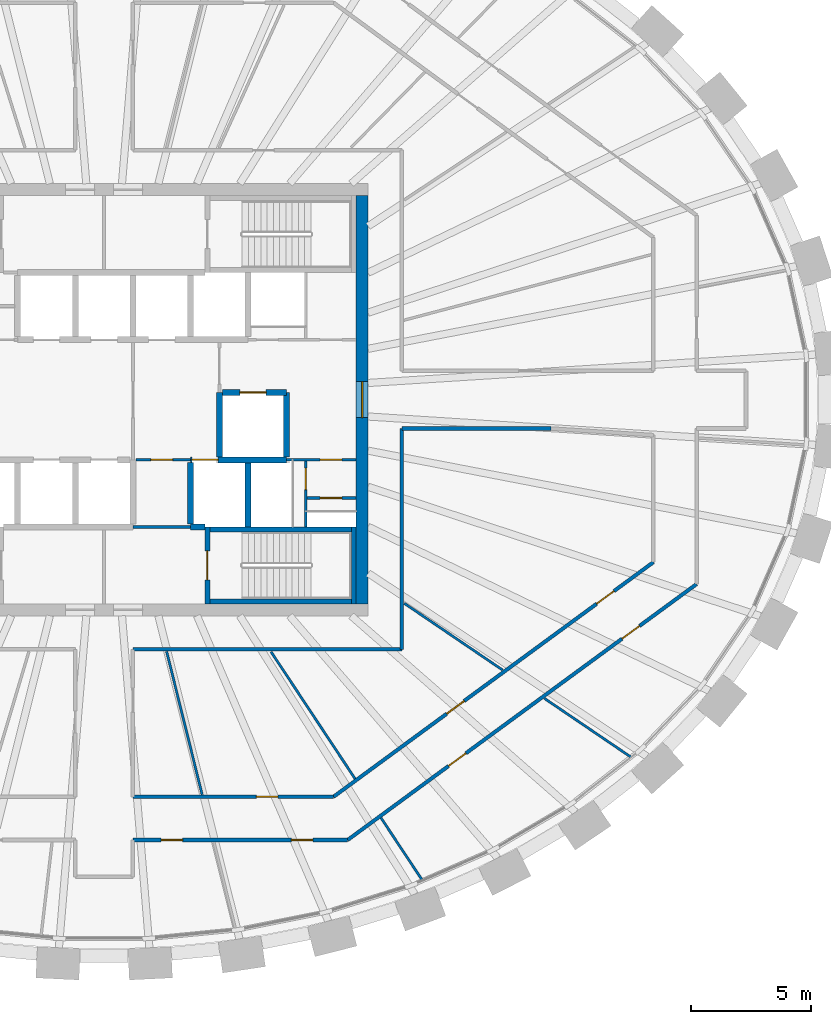
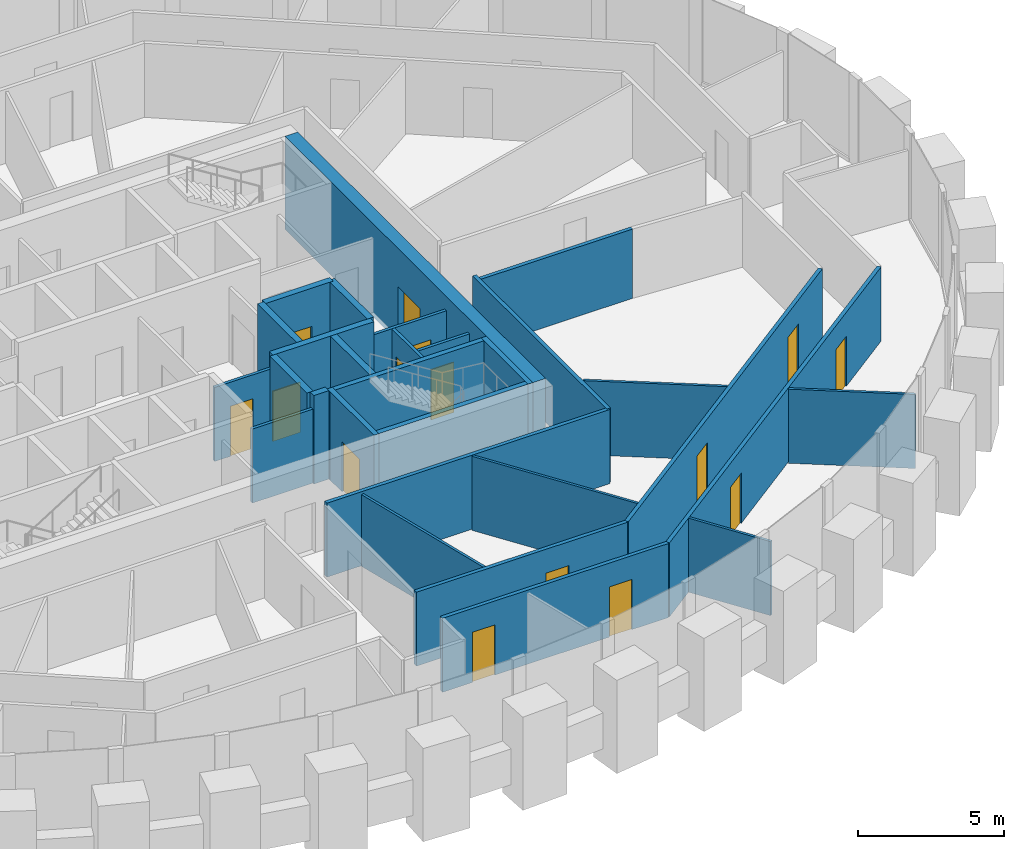
# One storey, part 8 of 12: 29 walls, 15 doors, 15 openings.
"""IFC4 building model written with IfcOpenShell, lengths in metres."""

from ifc_helpers import new_model, si_unit, direction, frame, frame_2d, origin, place, context, subcontext, project, spatial, rectangle, extrude, source, transform, mapped, material, layer, layer_set, type_object, element, fill, save


model = new_model("IFC4")

# Units and contexts
model_context = context("Model", 3, precision=1e-05, world=origin(), true_north=direction((0.0, 1.0)))
body_context = subcontext(model_context, "Body", "Model", "MODEL_VIEW")
ifc_project = project(units=[si_unit("LENGTHUNIT", "METRE"), si_unit("AREAUNIT", "SQUARE_METRE"), si_unit("VOLUMEUNIT", "CUBIC_METRE"), si_unit("PLANEANGLEUNIT", "RADIAN"), si_unit("MASSUNIT", "GRAM", prefix="KILO")], contexts=[model_context])

# Site, building, storey
site_placement = place(None, origin())
site = spatial("IfcSite", under=ifc_project, at=site_placement, CompositionType="ELEMENT")
building_placement = place(site_placement, origin())
building = spatial("IfcBuilding", under=site, at=building_placement, Name="Embergate Tower", CompositionType="ELEMENT")
storey_placement = place(building_placement, frame((0.0, 0.0, 309.10009765625)))
storey = spatial("IfcBuildingStorey", under=building, at=storey_placement, Name="L72", CompositionType="ELEMENT", Elevation=309.10009765625)

# Wall, opening, door
ifc_material_1 = material(Name="Concrete C50", Category="concrete")
ifc_layer_1 = layer(ifc_material_1, 0.5)
ifc_layer_set_1 = layer_set([ifc_layer_1], Name="Concrete C50")
wall_type_1 = type_object("IfcWallType", Name="Core outer wall C50 500", PredefinedType="SHEAR", material=ifc_layer_set_1)
shared_shape_1 = source(origin(), body_context, "Body", "SweptSolid", [
    extrude(rectangle(XDim=17.0, YDim=0.5, at=frame_2d((8.5, 0.0))), origin(), (0.0, 0.0, 1.0), 3.900146484375),
])
wall_1_placement = place(storey_placement, frame((10.75, -8.5, -0.2001953125), z_axis=(0.0, 0.0, 1.0), x_axis=(0.0, 1.0, 0.0)))
wall_1 = element("IfcWall", 1, at=wall_1_placement, inside=storey, type_object=wall_type_1, Name="CW-L72-E", PredefinedType="SHEAR", context=body_context, shape_type="MappedRepresentation", body=[
    mapped(shared_shape_1, transform((0.0, 0.0, 0.0))),
])
shared_shape_2 = source(origin(), body_context, "Body", "SweptSolid", [
    extrude(rectangle(XDim=1.5, YDim=2.10009765625, at=frame_2d((0.75, 1.050048828125))), frame((0.0, 0.260009765625, 0.0), z_axis=(0.0, -1.0, 0.0), x_axis=(1.0, 0.0, 0.0)), (0.0, 0.0, 1.0), 0.52001953125),
])
opening_1_placement = place(wall_1_placement, frame((7.75, 0.0, 0.199951171875)))
opening_1 = element("IfcOpeningElement", 2, at=opening_1_placement, cuts=wall_1, Name="Opening IF-3", PredefinedType="OPENING", context=body_context, shape_type="MappedRepresentation", body=[
    mapped(shared_shape_2, transform((0.0, 0.0, 0.0))),
])
ifc_material_2 = material(Name="Lobby fire door pair 1500")
door_type_1 = type_object("IfcDoorType", Name="Lobby fire door pair 1500", OperationType="DOUBLE_DOOR_SINGLE_SWING", PredefinedType="DOOR", material=ifc_material_2)
shared_shape_3 = source(origin(), body_context, "Body", "SweptSolid", [
    extrude(rectangle(XDim=1.5, YDim=2.10009765625, at=frame_2d((0.75, 1.050048828125))), frame((0.0, 0.02490234375, 0.0), z_axis=(0.0, -1.0, 0.0), x_axis=(1.0, 0.0, 0.0)), (0.0, 0.0, 1.0), 0.050048828125),
])
door_1_placement = place(opening_1_placement, origin())
door_1 = element("IfcDoor", 3, at=door_1_placement, inside=storey, type_object=door_type_1, Name="IF-3 door", OperationType="DOUBLE_DOOR_SINGLE_SWING", OverallHeight=2.10009765625, OverallWidth=1.5, PredefinedType="DOOR", context=body_context, shape_type="MappedRepresentation", body=[
    mapped(shared_shape_3, transform((0.0, 0.0, 0.0))),
])
fill(opening_1, door_1)

# Walls
ifc_layer_2 = layer(ifc_material_1, 0.25)
ifc_layer_set_2 = layer_set([ifc_layer_2], Name="Concrete C50")
wall_type_2 = type_object("IfcWallType", Name="Hoistway wall reinforced concrete 250", PredefinedType="SHEAR", material=ifc_layer_set_2)
shared_shape_4 = source(origin(), body_context, "Body", "SweptSolid", [
    extrude(rectangle(XDim=2.675048828125, YDim=0.25, at=frame_2d((1.33740234375, 0.0))), origin(), (0.0, 0.0, 1.0), 3.699951171875),
])
for number, where, z_axis, x_axis, name in (
    (4, (6.0, -5.300048828125, 0.0), (0.0, 0.0, 1.0), (0.0, 1.0, 0.0), "HW-1 wall"),
    (5, (4.800048828125, -2.375, 0.0), (0.0, 0.0, 1.0), (0.0, 1.0, 0.0), "HW-1 wall"),
):
    element("IfcWall", number, at=place(storey_placement, frame(where, z_axis=z_axis, x_axis=x_axis)), inside=storey, type_object=wall_type_2, Name=name, PredefinedType="SHEAR", context=body_context, shape_type="MappedRepresentation", body=[
        mapped(shared_shape_4, transform((0.0, 0.0, 0.0))),
    ])

# Wall, opening, door
wall_2_placement = place(storey_placement, frame((7.60009765625, 0.300048828125, 0.0), z_axis=(0.0, 0.0, 1.0), x_axis=(-1.0, 0.0, 0.0)))
wall_2 = element("IfcWall", 6, at=wall_2_placement, inside=storey, type_object=wall_type_2, Name="HW-1 wall", PredefinedType="SHEAR", context=body_context, shape_type="MappedRepresentation", body=[
    mapped(shared_shape_4, transform((0.0, 0.0, 0.0))),
])
shared_shape_5 = source(origin(), body_context, "Body", "SweptSolid", [
    extrude(rectangle(XDim=1.10009765625, YDim=2.10009765625, at=frame_2d((0.550048828125, 1.050048828125))), frame((0.0, 0.135009765625, 0.0), z_axis=(0.0, -1.0, 0.0), x_axis=(1.0, 0.0, 0.0)), (0.0, 0.0, 1.0), 0.27001953125),
])
opening_2_placement = place(wall_2_placement, frame((0.85009765625, 0.0, 0.0)))
opening_2 = element("IfcOpeningElement", 7, at=opening_2_placement, cuts=wall_2, Name="Opening LD", PredefinedType="OPENING", context=body_context, shape_type="MappedRepresentation", body=[
    mapped(shared_shape_5, transform((0.0, 0.0, 0.0))),
])
ifc_material_3 = material(Name="Landing door sliding 1100")
door_type_2 = type_object("IfcDoorType", Name="Landing door sliding 1100", OperationType="SLIDING_TO_LEFT", PredefinedType="DOOR", material=ifc_material_3)
shared_shape_6 = source(origin(), body_context, "Body", "SweptSolid", [
    extrude(rectangle(XDim=1.10009765625, YDim=2.10009765625, at=frame_2d((0.550048828125, 1.050048828125))), frame((0.0, 0.02490234375, 0.0), z_axis=(0.0, -1.0, 0.0), x_axis=(1.0, 0.0, 0.0)), (0.0, 0.0, 1.0), 0.050048828125),
])
door_2_placement = place(opening_2_placement, origin())
door_2 = element("IfcDoor", 8, at=door_2_placement, inside=storey, type_object=door_type_2, Name="LD door", OperationType="SLIDING_TO_RIGHT", OverallHeight=2.10009765625, OverallWidth=1.10009765625, PredefinedType="DOOR", context=body_context, shape_type="MappedRepresentation", body=[
    mapped(shared_shape_6, transform((0.0, 0.0, 0.0))),
])
fill(opening_2, door_2)

# Walls
wall_3_placement = place(storey_placement, frame((7.60009765625, -2.375, 0.0), z_axis=(0.0, 0.0, 1.0), x_axis=(0.0, 1.0, 0.0)))
element("IfcWall", 9, at=wall_3_placement, inside=storey, type_object=wall_type_2, Name="HW-1 wall", PredefinedType="SHEAR", context=body_context, shape_type="MappedRepresentation", body=[
    mapped(shared_shape_4, transform((0.0, 0.0, 0.0))),
])
ifc_layer_3 = layer(ifc_material_1, 0.199951171875)
ifc_layer_set_3 = layer_set([ifc_layer_3], Name="Concrete C50")
wall_type_3 = type_object("IfcWallType", Name="Stair enclosure wall reinforced concrete 250", PredefinedType="SHEAR", material=ifc_layer_set_3)
shared_shape_7 = source(origin(), body_context, "Body", "SweptSolid", [
    extrude(rectangle(XDim=6.300048828125, YDim=0.199951171875, at=frame_2d((3.14990234375, 0.0))), origin(), (0.0, 0.0, 1.0), 3.699951171875),
])
wall_4_placement = place(storey_placement, frame((4.199951171875, -5.39990234375, 0.0), z_axis=(0.0, 0.0, 1.0), x_axis=(1.0, 0.0, 0.0)))
element("IfcWall", 10, at=wall_4_placement, inside=storey, type_object=wall_type_3, Name="SE-1 wall", PredefinedType="SHEAR", context=body_context, shape_type="MappedRepresentation", body=[
    mapped(shared_shape_7, transform((0.0, 0.0, 0.0))),
])
shared_shape_8 = source(origin(), body_context, "Body", "SweptSolid", [
    extrude(rectangle(XDim=2.550048828125, YDim=0.25, at=frame_2d((1.27490234375, 0.0))), origin(), (0.0, 0.0, 1.0), 3.699951171875),
])
wall_5_placement = place(storey_placement, frame((3.60009765625, -2.625, 0.0), z_axis=(0.0, 0.0, 1.0), x_axis=(0.0, -1.0, 0.0)))
element("IfcWall", 11, at=wall_5_placement, inside=storey, type_object=wall_type_2, Name="HW-1 wall", PredefinedType="SHEAR", context=body_context, shape_type="MappedRepresentation", body=[
    mapped(shared_shape_8, transform((0.0, 0.0, 0.0))),
])

# Wall, opening, door
shared_shape_9 = source(origin(), body_context, "Body", "SweptSolid", [
    extrude(rectangle(XDim=3.199951171875, YDim=0.199951171875, at=frame_2d((1.60009765625, 0.0))), origin(), (0.0, 0.0, 1.0), 3.699951171875),
])
wall_6_placement = place(storey_placement, frame((4.300048828125, -5.300048828125, 0.0), z_axis=(0.0, 0.0, 1.0), x_axis=(0.0, -1.0, 0.0)))
wall_6 = element("IfcWall", 12, at=wall_6_placement, inside=storey, type_object=wall_type_3, Name="SE-1 wall", PredefinedType="SHEAR", context=body_context, shape_type="MappedRepresentation", body=[
    mapped(shared_shape_9, transform((0.0, 0.0, 0.0))),
])
shared_shape_10 = source(origin(), body_context, "Body", "SweptSolid", [
    extrude(rectangle(XDim=1.199951171875, YDim=2.10009765625, at=frame_2d((0.60009765625, 1.050048828125))), frame((0.0, 0.10986328125, 0.0), z_axis=(0.0, -1.0, 0.0), x_axis=(1.0, 0.0, 0.0)), (0.0, 0.0, 1.0), 0.219970703125),
])
opening_3_placement = place(wall_6_placement, frame((1.0, 0.0, 0.0)))
opening_3 = element("IfcOpeningElement", 13, at=opening_3_placement, cuts=wall_6, Name="Opening IF-2", PredefinedType="OPENING", context=body_context, shape_type="MappedRepresentation", body=[
    mapped(shared_shape_10, transform((0.0, 0.0, 0.0))),
])
ifc_material_4 = material(Name="Stair enclosure door 1200")
door_type_3 = type_object("IfcDoorType", Name="Stair enclosure door 1200", OperationType="SINGLE_SWING_LEFT", PredefinedType="DOOR", material=ifc_material_4)
shared_shape_11 = source(origin(), body_context, "Body", "SweptSolid", [
    extrude(rectangle(XDim=1.199951171875, YDim=2.10009765625, at=frame_2d((0.60009765625, 1.050048828125))), frame((0.0, 0.02490234375, 0.0), z_axis=(0.0, -1.0, 0.0), x_axis=(1.0, 0.0, 0.0)), (0.0, 0.0, 1.0), 0.050048828125),
])
door_3_placement = place(opening_3_placement, origin())
door_3 = element("IfcDoor", 14, at=door_3_placement, inside=storey, type_object=door_type_3, Name="IF-2 door", OperationType="SINGLE_SWING_LEFT", OverallHeight=2.10009765625, OverallWidth=1.199951171875, PredefinedType="DOOR", context=body_context, shape_type="MappedRepresentation", body=[
    mapped(shared_shape_11, transform((0.0, 0.0, 0.0))),
])
fill(opening_3, door_3)

ifc_material_5 = material(Name="Core partition blockwork 120")
ifc_layer_4 = layer(ifc_material_5, 0.1201171875)
ifc_layer_set_4 = layer_set([ifc_layer_4], Name="Core partition blockwork 120")
wall_type_4 = type_object("IfcWallType", Name="Core partition blockwork 120", PredefinedType="PARTITIONING", material=ifc_layer_set_4)
shared_shape_12 = source(origin(), body_context, "Body", "SweptSolid", [
    extrude(rectangle(XDim=2.739990234375, YDim=0.1201171875, at=frame_2d((1.3701171875, 0.0))), origin(), (0.0, 0.0, 1.0), 3.099853515625),
])
wall_7_placement = place(storey_placement, frame((8.39990234375, -5.300048828125, 0.0), z_axis=(0.0, 0.0, 1.0), x_axis=(0.0, 1.0, 0.0)))
wall_7 = element("IfcWall", 15, at=wall_7_placement, inside=storey, type_object=wall_type_4, Name="IP-3 wall", PredefinedType="PARTITIONING", context=body_context, shape_type="MappedRepresentation", body=[
    mapped(shared_shape_12, transform((0.0, 0.0, 0.0))),
])
shared_shape_13 = source(origin(), body_context, "Body", "SweptSolid", [
    extrude(rectangle(XDim=0.89990234375, YDim=2.10009765625, at=frame_2d((0.449951171875, 1.050048828125))), frame((0.0, 0.070068359375, 0.0), z_axis=(0.0, -1.0, 0.0), x_axis=(1.0, 0.0, 0.0)), (0.0, 0.0, 1.0), 0.14013671875),
])
opening_4_placement = place(wall_7_placement, frame((1.552001953125, 0.0, 0.0)))
opening_4 = element("IfcOpeningElement", 16, at=opening_4_placement, cuts=wall_7, Name="Opening ID-1", PredefinedType="OPENING", context=body_context, shape_type="MappedRepresentation", body=[
    mapped(shared_shape_13, transform((0.0, 0.0, 0.0))),
])
ifc_material_6 = material(Name="Interior door 900")
door_type_4 = type_object("IfcDoorType", Name="Interior door 900", OperationType="SINGLE_SWING_LEFT", PredefinedType="DOOR", material=ifc_material_6)
shared_shape_14 = source(origin(), body_context, "Body", "SweptSolid", [
    extrude(rectangle(XDim=0.89990234375, YDim=2.10009765625, at=frame_2d((0.449951171875, 1.050048828125))), frame((0.0, 0.02490234375, 0.0), z_axis=(0.0, -1.0, 0.0), x_axis=(1.0, 0.0, 0.0)), (0.0, 0.0, 1.0), 0.050048828125),
])
door_4_placement = place(opening_4_placement, origin())
door_4 = element("IfcDoor", 17, at=door_4_placement, inside=storey, type_object=door_type_4, Name="ID-1 door", OperationType="SINGLE_SWING_LEFT", OverallHeight=2.10009765625, OverallWidth=0.89990234375, PredefinedType="DOOR", context=body_context, shape_type="MappedRepresentation", body=[
    mapped(shared_shape_14, transform((0.0, 0.0, 0.0))),
])
fill(opening_4, door_4)

# Walls
shared_shape_15 = source(origin(), body_context, "Body", "SweptSolid", [
    extrude(rectangle(XDim=0.599853515625, YDim=0.25, at=frame_2d((0.2998046875, 0.0))), origin(), (0.0, 0.0, 1.0), 3.699951171875),
])
wall_8_placement = place(storey_placement, frame((3.60009765625, -5.300048828125, 0.0), z_axis=(0.0, 0.0, 1.0), x_axis=(1.0, 0.0, 0.0)))
element("IfcWall", 18, at=wall_8_placement, inside=storey, type_object=wall_type_2, Name="HW-1 wall", PredefinedType="SHEAR", context=body_context, shape_type="MappedRepresentation", body=[
    mapped(shared_shape_15, transform((0.0, 0.0, 0.0))),
])
ifc_material_7 = material(Name="Corridor wall dry-lined 150 wet")
ifc_layer_5 = layer(ifc_material_7, 0.14990234375)
ifc_layer_set_5 = layer_set([ifc_layer_5], Name="Corridor wall dry-lined 150 wet")
wall_type_5 = type_object("IfcWallType", Name="Corridor wall dry-lined 150 wet", PredefinedType="PLUMBINGWALL", material=ifc_layer_set_5)
shared_shape_16 = source(origin(), body_context, "Body", "SweptSolid", [
    extrude(rectangle(XDim=9.199951171875, YDim=0.14990234375, at=frame_2d((4.60009765625, 0.0))), origin(), (0.0, 0.0, 1.0), 3.099853515625),
])
wall_9_placement = place(storey_placement, frame((12.39990234375, -10.39990234375, 0.0), z_axis=(0.0, 0.0, 1.0), x_axis=(0.0, 1.0, 0.0)))
element("IfcWall", 19, at=wall_9_placement, inside=storey, type_object=wall_type_5, Name="IP-2 wall", PredefinedType="PLUMBINGWALL", context=body_context, shape_type="MappedRepresentation", body=[
    mapped(shared_shape_16, transform((0.0, 0.0, 0.0))),
])
ifc_material_8 = material(Name="Corridor wall dry-lined 150")
ifc_layer_6 = layer(ifc_material_8, 0.14990234375)
ifc_layer_set_6 = layer_set([ifc_layer_6], Name="Corridor wall dry-lined 150")
wall_type_6 = type_object("IfcWallType", Name="Corridor wall dry-lined 150", PredefinedType="PARTITIONING", material=ifc_layer_set_6)
shared_shape_17 = source(origin(), body_context, "Body", "SweptSolid", [
    extrude(rectangle(XDim=11.199951171875, YDim=0.14990234375, at=frame_2d((5.60009765625, 0.0))), origin(), (0.0, 0.0, 1.0), 3.099853515625),
])
wall_10_placement = place(storey_placement, frame((12.39990234375, -10.39990234375, 0.0), z_axis=(0.0, 0.0, 1.0), x_axis=(-1.0, 0.0, 0.0)))
element("IfcWall", 20, at=wall_10_placement, inside=storey, type_object=wall_type_6, Name="IP-2 wall", PredefinedType="PARTITIONING", context=body_context, shape_type="MappedRepresentation", body=[
    mapped(shared_shape_17, transform((0.0, 0.0, 0.0))),
])

# Wall, opening, door
shared_shape_18 = source(origin(), body_context, "Body", "SweptSolid", [
    extrude(rectangle(XDim=2.89990234375, YDim=0.1201171875, at=frame_2d((1.449951171875, 0.0))), origin(), (0.0, 0.0, 1.0), 3.099853515625),
])
wall_11_placement = place(storey_placement, frame((10.5, -2.5, 0.0), z_axis=(0.0, 0.0, 1.0), x_axis=(-1.0, 0.0, 0.0)))
wall_11 = element("IfcWall", 21, at=wall_11_placement, inside=storey, type_object=wall_type_4, Name="IP-3 wall", PredefinedType="PARTITIONING", context=body_context, shape_type="MappedRepresentation", body=[
    mapped(shared_shape_18, transform((0.0, 0.0, 0.0))),
])
opening_5_placement = place(wall_11_placement, frame((0.60009765625, 0.0, 0.0)))
opening_5 = element("IfcOpeningElement", 22, at=opening_5_placement, cuts=wall_11, Name="Opening ID-1", PredefinedType="OPENING", context=body_context, shape_type="MappedRepresentation", body=[
    mapped(shared_shape_13, transform((0.0, 0.0, 0.0))),
])
door_5_placement = place(opening_5_placement, origin())
door_5 = element("IfcDoor", 23, at=door_5_placement, inside=storey, type_object=door_type_4, Name="ID-1 door", OperationType="SINGLE_SWING_LEFT", OverallHeight=2.10009765625, OverallWidth=0.89990234375, PredefinedType="DOOR", context=body_context, shape_type="MappedRepresentation", body=[
    mapped(shared_shape_14, transform((0.0, 0.0, 0.0))),
])
fill(opening_5, door_5)

shared_shape_19 = source(origin(), body_context, "Body", "SweptSolid", [
    extrude(rectangle(XDim=4.0, YDim=0.25, at=frame_2d((2.0, 0.0))), origin(), (0.0, 0.0, 1.0), 3.699951171875),
])
wall_12_placement = place(storey_placement, frame((7.60009765625, -2.5, 0.0), z_axis=(0.0, 0.0, 1.0), x_axis=(-1.0, 0.0, 0.0)))
wall_12 = element("IfcWall", 24, at=wall_12_placement, inside=storey, type_object=wall_type_2, Name="HW-1 wall", PredefinedType="SHEAR", context=body_context, shape_type="MappedRepresentation", body=[
    mapped(shared_shape_19, transform((0.0, 0.0, 0.0))),
])
opening_6_placement = place(wall_12_placement, frame((2.85009765625, 0.0, 0.0)))
opening_6 = element("IfcOpeningElement", 25, at=opening_6_placement, cuts=wall_12, Name="Opening LD", PredefinedType="OPENING", context=body_context, shape_type="MappedRepresentation", body=[
    mapped(shared_shape_5, transform((0.0, 0.0, 0.0))),
])
door_6_placement = place(opening_6_placement, origin())
door_6 = element("IfcDoor", 26, at=door_6_placement, inside=storey, type_object=door_type_2, Name="LD door", OperationType="SLIDING_TO_LEFT", OverallHeight=2.10009765625, OverallWidth=1.10009765625, PredefinedType="DOOR", context=body_context, shape_type="MappedRepresentation", body=[
    mapped(shared_shape_6, transform((0.0, 0.0, 0.0))),
])
fill(opening_6, door_6)

# Walls
shared_shape_20 = source(origin(), body_context, "Body", "SweptSolid", [
    extrude(rectangle(XDim=2.400146484375, YDim=0.1201171875, at=frame_2d((1.2001953125, 0.0))), origin(), (0.0, 0.0, 1.0), 3.099853515625),
])
wall_13_placement = place(storey_placement, frame((3.60009765625, -5.300048828125, 0.0), z_axis=(0.0, 0.0, 1.0), x_axis=(-1.0, 0.0, 0.0)))
element("IfcWall", 27, at=wall_13_placement, inside=storey, type_object=wall_type_4, Name="IP-3 wall", PredefinedType="PARTITIONING", context=body_context, shape_type="MappedRepresentation", body=[
    mapped(shared_shape_20, transform((0.0, 0.0, 0.0))),
])
shared_shape_21 = source(origin(), body_context, "Body", "SweptSolid", [
    extrude(rectangle(XDim=6.298095703125, YDim=0.199951171875, at=frame_2d((3.14892578125, 0.0))), origin(), (0.0, 0.0, 1.0), 3.699951171875),
])
wall_14_placement = place(storey_placement, frame((4.201904296875, -8.39990234375, 0.0), z_axis=(0.0, 0.0, 1.0), x_axis=(1.0, 0.0, 0.0)))
element("IfcWall", 28, at=wall_14_placement, inside=storey, type_object=wall_type_3, Name="SE-1 wall", PredefinedType="SHEAR", context=body_context, shape_type="MappedRepresentation", body=[
    mapped(shared_shape_21, transform((0.0, 0.0, 0.0))),
])
shared_shape_22 = source(origin(), body_context, "Body", "SweptSolid", [
    extrude(rectangle(XDim=3.197998046875, YDim=0.199951171875, at=frame_2d((1.59912109375, 0.0))), origin(), (0.0, 0.0, 1.0), 3.699951171875),
])
wall_15_placement = place(storey_placement, frame((10.39990234375, -8.5, 0.0), z_axis=(0.0, 0.0, 1.0), x_axis=(0.0, 1.0, 0.0)))
element("IfcWall", 29, at=wall_15_placement, inside=storey, type_object=wall_type_3, Name="SE-1 wall", PredefinedType="SHEAR", context=body_context, shape_type="MappedRepresentation", body=[
    mapped(shared_shape_22, transform((0.0, 0.0, 0.0))),
])

# Wall, opening, door
shared_shape_23 = source(origin(), body_context, "Body", "SweptSolid", [
    extrude(rectangle(XDim=2.0400390625, YDim=0.1201171875, at=frame_2d((1.02001953125, 0.0))), origin(), (0.0, 0.0, 1.0), 3.099853515625),
])
wall_16_placement = place(storey_placement, frame((10.5, -4.095947265625, 0.0), z_axis=(0.0, 0.0, 1.0), x_axis=(-1.0, 0.0, 0.0)))
wall_16 = element("IfcWall", 30, at=wall_16_placement, inside=storey, type_object=wall_type_4, Name="IP-3 wall", PredefinedType="PARTITIONING", context=body_context, shape_type="MappedRepresentation", body=[
    mapped(shared_shape_23, transform((0.0, 0.0, 0.0))),
])
opening_7_placement = place(wall_16_placement, frame((0.60009765625, 0.0, 0.0)))
opening_7 = element("IfcOpeningElement", 31, at=opening_7_placement, cuts=wall_16, Name="Opening ID-1", PredefinedType="OPENING", context=body_context, shape_type="MappedRepresentation", body=[
    mapped(shared_shape_13, transform((0.0, 0.0, 0.0))),
])
door_7_placement = place(opening_7_placement, origin())
door_7 = element("IfcDoor", 32, at=door_7_placement, inside=storey, type_object=door_type_4, Name="ID-1 door", OperationType="SINGLE_SWING_RIGHT", OverallHeight=2.10009765625, OverallWidth=0.89990234375, PredefinedType="DOOR", context=body_context, shape_type="MappedRepresentation", body=[
    mapped(shared_shape_14, transform((0.0, 0.0, 0.0))),
])
fill(opening_7, door_7)

shared_shape_24 = source(origin(), body_context, "Body", "SweptSolid", [
    extrude(rectangle(XDim=2.275146484375, YDim=0.1201171875, at=frame_2d((1.1376953125, 0.0))), origin(), (0.0, 0.0, 1.0), 3.099853515625),
])
wall_17_placement = place(storey_placement, frame((1.324951171875, -2.5, 0.0), z_axis=(0.0, 0.0, 1.0), x_axis=(1.0, 0.0, 0.0)))
wall_17 = element("IfcWall", 33, at=wall_17_placement, inside=storey, type_object=wall_type_4, Name="IP-3 wall", PredefinedType="PARTITIONING", context=body_context, shape_type="MappedRepresentation", body=[
    mapped(shared_shape_24, transform((0.0, 0.0, 0.0))),
])
opening_8_placement = place(wall_17_placement, frame((0.625, 0.0, 0.0)))
opening_8 = element("IfcOpeningElement", 34, at=opening_8_placement, cuts=wall_17, Name="Opening ID-1", PredefinedType="OPENING", context=body_context, shape_type="MappedRepresentation", body=[
    mapped(shared_shape_13, transform((0.0, 0.0, 0.0))),
])
door_8_placement = place(opening_8_placement, origin())
door_8 = element("IfcDoor", 35, at=door_8_placement, inside=storey, type_object=door_type_4, Name="ID-1 door", OperationType="SINGLE_SWING_LEFT", OverallHeight=2.10009765625, OverallWidth=0.89990234375, PredefinedType="DOOR", context=body_context, shape_type="MappedRepresentation", body=[
    mapped(shared_shape_14, transform((0.0, 0.0, 0.0))),
])
fill(opening_8, door_8)

# Wall
ifc_material_9 = material(Name="Partition dry-lined 100 wet")
ifc_layer_7 = layer(ifc_material_9, 0.10009765625)
ifc_layer_set_7 = layer_set([ifc_layer_7], Name="Partition dry-lined 100 wet")
wall_type_7 = type_object("IfcWallType", Name="Partition dry-lined 100 wet", PredefinedType="PLUMBINGWALL", material=ifc_layer_set_7)
shared_shape_25 = source(origin(), body_context, "Body", "SweptSolid", [
    extrude(rectangle(XDim=6.148193359375, YDim=0.10009765625, at=frame_2d((3.07421875, 0.0))), origin(), (0.0, 0.0, 1.0), 3.0),
])
wall_18_placement = place(storey_placement, frame((2.60302734375, -10.487060546875, 0.0), z_axis=(0.0, 0.0, 1.0), x_axis=(0.240881463777, -0.970554542727, 0.0)))
element("IfcWall", 36, at=wall_18_placement, inside=storey, type_object=wall_type_7, Name="IP-1 wall", PredefinedType="PLUMBINGWALL", context=body_context, shape_type="MappedRepresentation", body=[
    mapped(shared_shape_25, transform((0.0, 0.0, 0.0))),
])

# Wall, openings, doors
shared_shape_26 = source(origin(), body_context, "Body", "SweptSolid", [
    extrude(rectangle(XDim=18.027099609375, YDim=0.14990234375, at=frame_2d((9.013671875, 0.0))), origin(), (0.0, 0.0, 1.0), 3.099853515625),
])
wall_19_placement = place(storey_placement, frame((24.681884765625, -7.679931640625, 0.0), z_axis=(0.0, 0.0, 1.0), x_axis=(-0.80638475932, -0.591391257914, 0.0)))
wall_19 = element("IfcWall", 37, at=wall_19_placement, inside=storey, type_object=wall_type_5, Name="IP-2 wall", PredefinedType="PLUMBINGWALL", context=body_context, shape_type="MappedRepresentation", body=[
    mapped(shared_shape_26, transform((0.0, 0.0, 0.0))),
])
shared_shape_27 = source(origin(), body_context, "Body", "SweptSolid", [
    extrude(rectangle(XDim=0.89990234375, YDim=2.10009765625, at=frame_2d((0.449951171875, 1.050048828125))), frame((0.0, 0.0849609375, 0.0), z_axis=(0.0, -1.0, 0.0), x_axis=(1.0, 0.0, 0.0)), (0.0, 0.0, 1.0), 0.169921875),
])
opening_9_placement = place(wall_19_placement, frame((11.916259765625, 0.0, 0.0)))
opening_9 = element("IfcOpeningElement", 38, at=opening_9_placement, cuts=wall_19, Name="Opening IF-1c", PredefinedType="OPENING", context=body_context, shape_type="MappedRepresentation", body=[
    mapped(shared_shape_27, transform((0.0, 0.0, 0.0))),
])
opening_10_placement = place(wall_19_placement, frame((2.95068359375, 0.0, 0.0)))
opening_10 = element("IfcOpeningElement", 39, at=opening_10_placement, cuts=wall_19, Name="Opening IF-1c", PredefinedType="OPENING", context=body_context, shape_type="MappedRepresentation", body=[
    mapped(shared_shape_27, transform((0.0, 0.0, 0.0))),
])
ifc_material_10 = material(Name="Escape fire door 900")
door_type_5 = type_object("IfcDoorType", Name="Escape fire door 900", OperationType="SINGLE_SWING_LEFT", PredefinedType="DOOR", material=ifc_material_10)
door_9_placement = place(opening_9_placement, origin())
door_9 = element("IfcDoor", 40, at=door_9_placement, inside=storey, type_object=door_type_5, Name="IF-1 door", OperationType="SINGLE_SWING_RIGHT", OverallHeight=2.10009765625, OverallWidth=0.89990234375, PredefinedType="DOOR", context=body_context, shape_type="MappedRepresentation", body=[
    mapped(shared_shape_14, transform((0.0, 0.0, 0.0))),
])
fill(opening_9, door_9)
door_10_placement = place(opening_10_placement, origin())
door_10 = element("IfcDoor", 41, at=door_10_placement, inside=storey, type_object=door_type_5, Name="IF-1 door", OperationType="SINGLE_SWING_RIGHT", OverallHeight=2.10009765625, OverallWidth=0.89990234375, PredefinedType="DOOR", context=body_context, shape_type="MappedRepresentation", body=[
    mapped(shared_shape_14, transform((0.0, 0.0, 0.0))),
])
fill(opening_10, door_10)

shared_shape_28 = source(origin(), body_context, "Body", "SweptSolid", [
    extrude(rectangle(XDim=16.525634765625, YDim=0.14990234375, at=frame_2d((8.2626953125, 0.0))), origin(), (0.0, 0.0, 1.0), 3.099853515625),
])
wall_20_placement = place(storey_placement, frame((22.882080078125, -6.76806640625, 0.0), z_axis=(0.0, 0.0, 1.0), x_axis=(-0.806392784122, -0.591380315631, 0.0)))
wall_20 = element("IfcWall", 42, at=wall_20_placement, inside=storey, type_object=wall_type_5, Name="IP-2 wall", PredefinedType="PLUMBINGWALL", context=body_context, shape_type="MappedRepresentation", body=[
    mapped(shared_shape_28, transform((0.0, 0.0, 0.0))),
])
opening_11_placement = place(wall_20_placement, frame((9.776611328125, 0.0, 0.0)))
opening_11 = element("IfcOpeningElement", 43, at=opening_11_placement, cuts=wall_20, Name="Opening IF-1c", PredefinedType="OPENING", context=body_context, shape_type="MappedRepresentation", body=[
    mapped(shared_shape_27, transform((0.0, 0.0, 0.0))),
])
opening_12_placement = place(wall_20_placement, frame((2.0341796875, 0.0, 0.0)))
opening_12 = element("IfcOpeningElement", 44, at=opening_12_placement, cuts=wall_20, Name="Opening IF-1c", PredefinedType="OPENING", context=body_context, shape_type="MappedRepresentation", body=[
    mapped(shared_shape_27, transform((0.0, 0.0, 0.0))),
])
door_11_placement = place(opening_11_placement, origin())
door_11 = element("IfcDoor", 45, at=door_11_placement, inside=storey, type_object=door_type_5, Name="IF-1 door", OperationType="SINGLE_SWING_LEFT", OverallHeight=2.10009765625, OverallWidth=0.89990234375, PredefinedType="DOOR", context=body_context, shape_type="MappedRepresentation", body=[
    mapped(shared_shape_14, transform((0.0, 0.0, 0.0))),
])
fill(opening_11, door_11)
door_12_placement = place(opening_12_placement, origin())
door_12 = element("IfcDoor", 46, at=door_12_placement, inside=storey, type_object=door_type_5, Name="IF-1 door", OperationType="SINGLE_SWING_LEFT", OverallHeight=2.10009765625, OverallWidth=0.89990234375, PredefinedType="DOOR", context=body_context, shape_type="MappedRepresentation", body=[
    mapped(shared_shape_14, transform((0.0, 0.0, 0.0))),
])
fill(opening_12, door_12)

shared_shape_29 = source(origin(), body_context, "Body", "SweptSolid", [
    extrude(rectangle(XDim=8.945068359375, YDim=0.14990234375, at=frame_2d((4.47265625, 0.0))), origin(), (0.0, 0.0, 1.0), 3.099853515625),
])
wall_21_placement = place(storey_placement, frame((10.14501953125, -18.341064453125, 0.0), z_axis=(0.0, 0.0, 1.0), x_axis=(-1.0, 0.0, 0.0)))
wall_21 = element("IfcWall", 47, at=wall_21_placement, inside=storey, type_object=wall_type_6, Name="IP-2 wall", PredefinedType="PARTITIONING", context=body_context, shape_type="MappedRepresentation", body=[
    mapped(shared_shape_29, transform((0.0, 0.0, 0.0))),
])
opening_13_placement = place(wall_21_placement, frame((6.874267578125, 0.0, 0.0)))
opening_13 = element("IfcOpeningElement", 48, at=opening_13_placement, cuts=wall_21, Name="Opening IF-1c", PredefinedType="OPENING", context=body_context, shape_type="MappedRepresentation", body=[
    mapped(shared_shape_27, transform((0.0, 0.0, 0.0))),
])
opening_14_placement = place(wall_21_placement, frame((1.4462890625, 0.0, 0.0)))
opening_14 = element("IfcOpeningElement", 49, at=opening_14_placement, cuts=wall_21, Name="Opening IF-1c", PredefinedType="OPENING", context=body_context, shape_type="MappedRepresentation", body=[
    mapped(shared_shape_27, transform((0.0, 0.0, 0.0))),
])
door_13_placement = place(opening_13_placement, origin())
door_13 = element("IfcDoor", 50, at=door_13_placement, inside=storey, type_object=door_type_5, Name="IF-1 door", OperationType="SINGLE_SWING_RIGHT", OverallHeight=2.10009765625, OverallWidth=0.89990234375, PredefinedType="DOOR", context=body_context, shape_type="MappedRepresentation", body=[
    mapped(shared_shape_14, transform((0.0, 0.0, 0.0))),
])
fill(opening_13, door_13)
door_14_placement = place(opening_14_placement, origin())
door_14 = element("IfcDoor", 51, at=door_14_placement, inside=storey, type_object=door_type_5, Name="IF-1 door", OperationType="SINGLE_SWING_RIGHT", OverallHeight=2.10009765625, OverallWidth=0.89990234375, PredefinedType="DOOR", context=body_context, shape_type="MappedRepresentation", body=[
    mapped(shared_shape_14, transform((0.0, 0.0, 0.0))),
])
fill(opening_14, door_14)

# Wall, opening, door
shared_shape_30 = source(origin(), body_context, "Body", "SweptSolid", [
    extrude(rectangle(XDim=8.35595703125, YDim=0.14990234375, at=frame_2d((4.177978515625, 0.0))), origin(), (0.0, 0.0, 1.0), 3.099853515625),
])
wall_22_placement = place(storey_placement, frame((1.199951171875, -16.541015625, 0.0), z_axis=(0.0, 0.0, 1.0), x_axis=(1.0, 0.0, 0.0)))
wall_22 = element("IfcWall", 52, at=wall_22_placement, inside=storey, type_object=wall_type_6, Name="IP-2 wall", PredefinedType="PARTITIONING", context=body_context, shape_type="MappedRepresentation", body=[
    mapped(shared_shape_30, transform((0.0, 0.0, 0.0))),
])
opening_15_placement = place(wall_22_placement, frame((5.138916015625, 0.0, 0.0)))
opening_15 = element("IfcOpeningElement", 53, at=opening_15_placement, cuts=wall_22, Name="Opening IF-1c", PredefinedType="OPENING", context=body_context, shape_type="MappedRepresentation", body=[
    mapped(shared_shape_27, transform((0.0, 0.0, 0.0))),
])
door_15_placement = place(opening_15_placement, origin())
door_15 = element("IfcDoor", 54, at=door_15_placement, inside=storey, type_object=door_type_5, Name="IF-1 door", OperationType="SINGLE_SWING_RIGHT", OverallHeight=2.10009765625, OverallWidth=0.89990234375, PredefinedType="DOOR", context=body_context, shape_type="MappedRepresentation", body=[
    mapped(shared_shape_14, transform((0.0, 0.0, 0.0))),
])
fill(opening_15, door_15)

# Walls
shared_shape_31 = source(origin(), body_context, "Body", "SweptSolid", [
    extrude(rectangle(XDim=6.218017578125, YDim=0.14990234375, at=frame_2d((3.10888671875, 0.0))), origin(), (0.0, 0.0, 1.0), 2.89990234375),
])
wall_23_placement = place(storey_placement, frame((12.39990234375, -1.199951171875, 0.0), z_axis=(0.0, 0.0, 1.0), x_axis=(1.0, 0.0, 0.0)))
element("IfcWall", 55, at=wall_23_placement, inside=storey, type_object=wall_type_6, Name="IP-2 wall", PredefinedType="PARTITIONING", context=body_context, shape_type="MappedRepresentation", body=[
    mapped(shared_shape_31, transform((0.0, 0.0, 0.0))),
])
shared_shape_32 = source(origin(), body_context, "Body", "SweptSolid", [
    extrude(rectangle(XDim=3.14599609375, YDim=0.10009765625, at=frame_2d((1.572998046875, 0.0))), origin(), (0.0, 0.0, 1.0), 3.099853515625),
])
wall_24_placement = place(storey_placement, frame((11.531982421875, -17.4169921875, 0.0), z_axis=(0.0, 0.0, 1.0), x_axis=(0.552136710024, -0.833753592762, 0.0)))
element("IfcWall", 56, at=wall_24_placement, inside=storey, type_object=wall_type_7, Name="IP-1 wall", PredefinedType="PLUMBINGWALL", context=body_context, shape_type="MappedRepresentation", body=[
    mapped(shared_shape_32, transform((0.0, 0.0, 0.0))),
])
shared_shape_33 = source(origin(), body_context, "Body", "SweptSolid", [
    extrude(rectangle(XDim=4.3681640625, YDim=0.10009765625, at=frame_2d((2.18408203125, 0.0))), origin(), (0.0, 0.0, 1.0), 3.099853515625),
])
wall_25_placement = place(storey_placement, frame((21.9580078125, -14.89501953125, 0.0), z_axis=(0.0, 0.0, 1.0), x_axis=(-0.827595399026, 0.561325088973, 0.0)))
element("IfcWall", 57, at=wall_25_placement, inside=storey, type_object=wall_type_7, Name="IP-1 wall", PredefinedType="PLUMBINGWALL", context=body_context, shape_type="MappedRepresentation", body=[
    mapped(shared_shape_33, transform((0.0, 0.0, 0.0))),
])
shared_shape_34 = source(origin(), body_context, "Body", "SweptSolid", [
    extrude(rectangle(XDim=6.33984375, YDim=0.10009765625, at=frame_2d((3.169921875, 0.0))), origin(), (0.0, 0.0, 1.0), 3.099853515625),
])
wall_26_placement = place(storey_placement, frame((6.9541015625, -10.5029296875, 0.0), z_axis=(0.0, 0.0, 1.0), x_axis=(0.552066954082, -0.833799783048, 0.0)))
element("IfcWall", 58, at=wall_26_placement, inside=storey, type_object=wall_type_7, Name="IP-1 wall", PredefinedType="PLUMBINGWALL", context=body_context, shape_type="MappedRepresentation", body=[
    mapped(shared_shape_34, transform((0.0, 0.0, 0.0))),
])
shared_shape_35 = source(origin(), body_context, "Body", "SweptSolid", [
    extrude(rectangle(XDim=4.9521484375, YDim=0.10009765625, at=frame_2d((2.47607421875, 0.0))), origin(), (0.0, 0.0, 1.0), 3.099853515625),
])
wall_27_placement = place(storey_placement, frame((16.60107421875, -11.260986328125, 0.0), z_axis=(0.0, 0.0, 1.0), x_axis=(-0.827555938255, 0.561383263964, 0.0)))
element("IfcWall", 59, at=wall_27_placement, inside=storey, type_object=wall_type_7, Name="IP-1 wall", PredefinedType="PLUMBINGWALL", context=body_context, shape_type="MappedRepresentation", body=[
    mapped(shared_shape_35, transform((0.0, 0.0, 0.0))),
])

save(model, "model.ifc")
